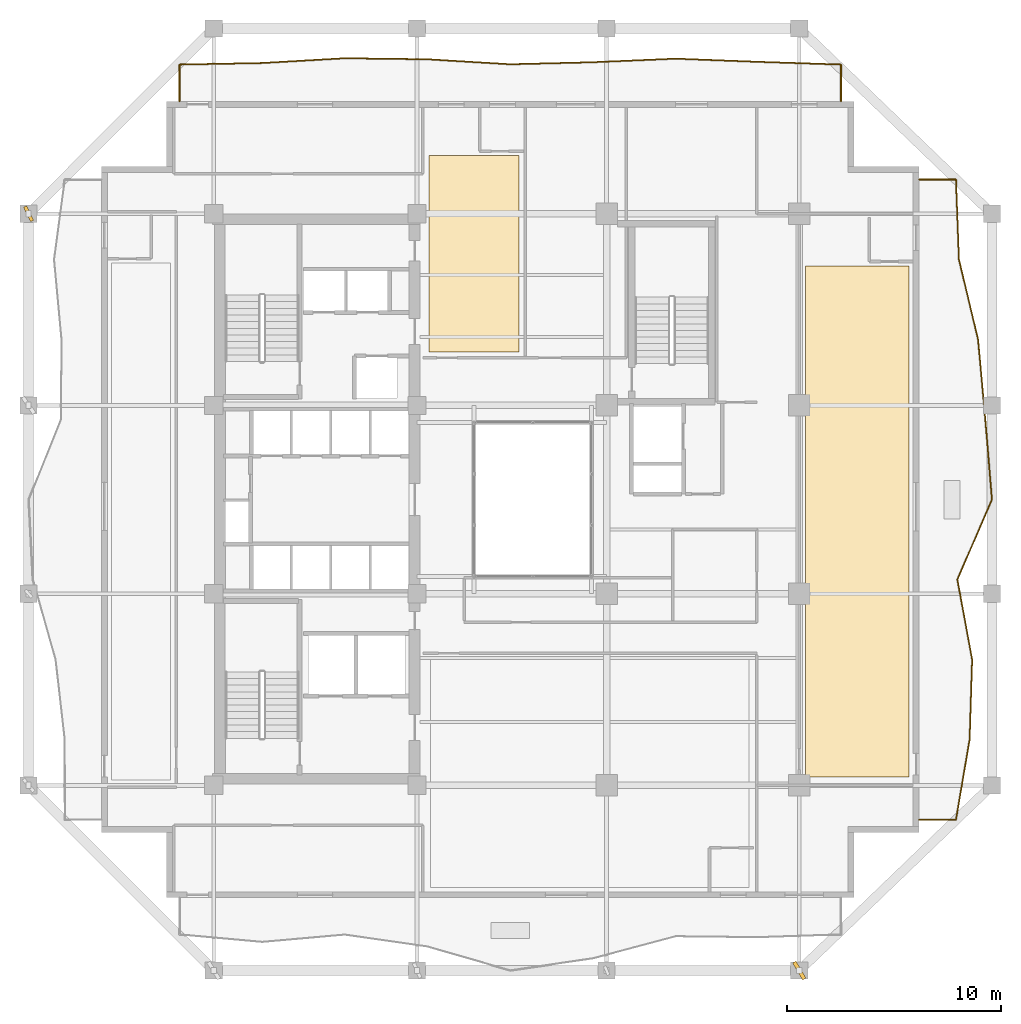
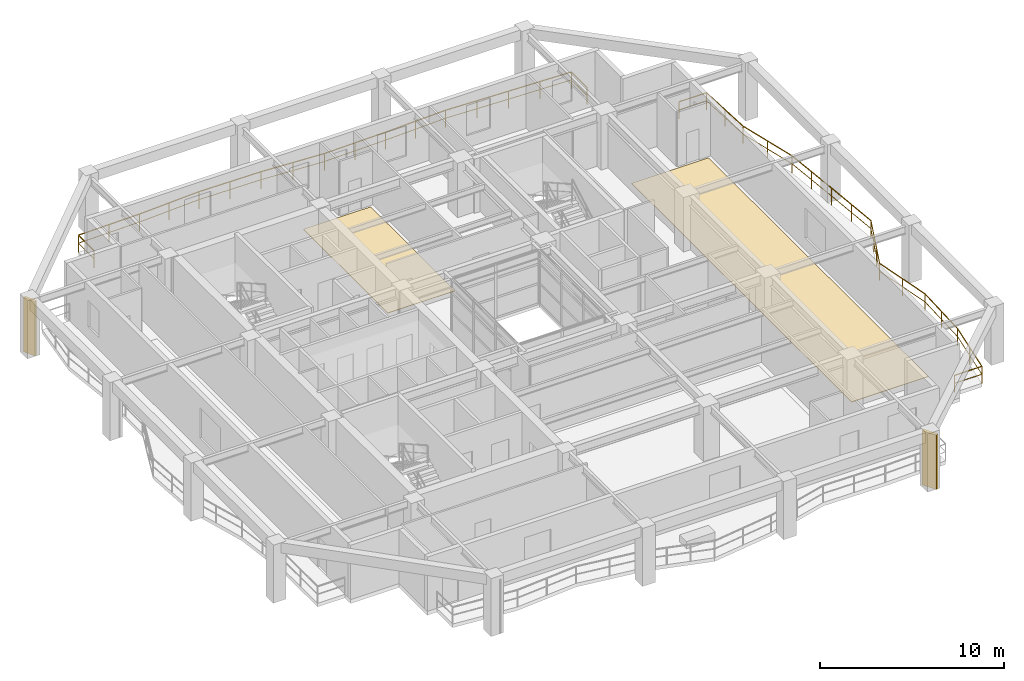
# One storey, part 13 of 14: 2 coverings, 2 railings, 2 shading devices.
"""IFC4 building model written with IfcOpenShell, lengths in metres."""

from ifc_helpers import new_model, si_unit, direction, frame, origin, origin_2d, place, context, subcontext, project, spatial, polyline, rectangle, outline, extrude, material, layer, layer_set, type_object, element, save


model = new_model("IFC4")

# Units and contexts
model_context = context("Model", 3, precision=1e-05, world=origin(), true_north=direction((0.0, 1.0)))
body_context = subcontext(model_context, "Body", "Model", "MODEL_VIEW")
ifc_project = project(units=[si_unit("LENGTHUNIT", "METRE"), si_unit("AREAUNIT", "SQUARE_METRE"), si_unit("VOLUMEUNIT", "CUBIC_METRE"), si_unit("PLANEANGLEUNIT", "RADIAN"), si_unit("MASSUNIT", "GRAM", prefix="KILO")], contexts=[model_context])

# Site, building, storey
site_placement = place(None, origin())
site = spatial("IfcSite", under=ifc_project, at=site_placement, CompositionType="ELEMENT")
building_placement = place(site_placement, origin())
building = spatial("IfcBuilding", under=site, at=building_placement, Name="Kundavana Baori Tower", CompositionType="ELEMENT")
storey_placement = place(building_placement, frame((0.0, 0.0, 104.0)))
storey = spatial("IfcBuildingStorey", under=building, at=storey_placement, Name="L24", CompositionType="ELEMENT", Elevation=104.0)

# Coverings
ifc_material_1 = material(Name="Honed Kota Stone and Terrazzo Flooring", Category="masonry")
ifc_layer = layer(ifc_material_1, 0.030029296875, Name="COV-INT-FLR")
ifc_layer_set = layer_set([ifc_layer], Name="Honed Kota Stone and Terrazzo Flooring")
covering_type = type_object("IfcCoveringType", Name="COV-INT-FLR", PredefinedType="FLOORING", material=ifc_layer_set)
covering_1_placement = place(storey_placement, origin())
element("IfcCovering", 1, at=covering_1_placement, inside=storey, type_object=covering_type, Name="L24 Room Finished Stone Flooring 3", PredefinedType="FLOORING", context=body_context, shape_type="SweptSolid", body=[
    extrude(outline(polyline([(43.10009765625, 15.6298828125), (47.919921875, 15.6298828125), (47.919921875, 39.52001953125), (43.10009765625, 39.52001953125), (43.10009765625, 15.6298828125)])), origin(), (0.0, 0.0, 1.0), 0.030029296875),
])
covering_2_placement = place(storey_placement, origin())
element("IfcCovering", 2, at=covering_2_placement, inside=storey, type_object=covering_type, Name="L24 Room Finished Stone Flooring 4", PredefinedType="FLOORING", context=body_context, shape_type="SweptSolid", body=[
    extrude(outline(polyline([(25.5, 35.5), (29.719970703125, 35.5), (29.719970703125, 44.669921875), (25.5, 44.669921875), (25.5, 35.5)])), origin(), (0.0, 0.0, 1.0), 0.030029296875),
])

# Railings
ifc_material_2 = material(Name="Architectural Patinated Bronze Metalwork")
railing_type = type_object("IfcRailingType", Name="RL-BAL-1150", PredefinedType="BALUSTRADE", material=ifc_material_2)
railing_1_placement = place(storey_placement, frame((48.39990234375, 43.550048828125, 0.0)))
element("IfcRailing", 3, at=railing_1_placement, inside=storey, type_object=railing_type, Name="L24 Loggia Balcony Balustrade E", PredefinedType="BALUSTRADE", context=body_context, shape_type="SweptSolid", body=[
    extrude(rectangle(XDim=0.048095703125, YDim=0.048095703125, at=origin_2d()), frame((0.0, 0.0, 1.1259765625), z_axis=(1.0, 0.0, 0.0), x_axis=(0.0, 1.0, 0.0)), (0.0, 0.0, 1.0), 1.72021484375),
    extrude(rectangle(XDim=0.03125, YDim=0.03125, at=origin_2d()), frame((0.0, 0.0, 0.597900390625), z_axis=(1.0, 0.0, 0.0), x_axis=(0.0, 1.0, 0.0)), (0.0, 0.0, 1.0), 1.72021484375),
    extrude(rectangle(XDim=0.048095703125, YDim=0.048095703125, at=origin_2d()), frame((1.72021484375, 0.0, 1.1259765625), z_axis=(0.037397894336, -0.999300454067, 0.0), x_axis=(0.999300454067, 0.037397894336, 0.0)), (0.0, 0.0, 1.0), 3.74072265625),
    extrude(rectangle(XDim=0.03125, YDim=0.03125, at=origin_2d()), frame((1.72021484375, 0.0, 0.597900390625), z_axis=(0.037397894336, -0.999300454067, 0.0), x_axis=(0.999300454067, 0.037397894336, 0.0)), (0.0, 0.0, 1.0), 3.74072265625),
    extrude(rectangle(XDim=0.048095703125, YDim=0.048095703125, at=origin_2d()), frame((1.860107421875, -3.738037109375, 1.1259765625), z_axis=(0.232671201059, -0.972555454562, 0.0), x_axis=(0.972555454562, 0.232671201059, 0.0)), (0.0, 0.0, 1.0), 3.842529296875),
    extrude(rectangle(XDim=0.03125, YDim=0.03125, at=origin_2d()), frame((1.860107421875, -3.738037109375, 0.597900390625), z_axis=(0.232671201059, -0.972555454562, 0.0), x_axis=(0.972555454562, 0.232671201059, 0.0)), (0.0, 0.0, 1.0), 3.842529296875),
    extrude(rectangle(XDim=0.048095703125, YDim=0.048095703125, at=origin_2d()), frame((2.754150390625, -7.47509765625, 1.1259765625), z_axis=(0.090025485948, -0.995939461955, 0.0), x_axis=(0.995939461955, 0.090025485948, 0.0)), (0.0, 0.0, 1.0), 3.753173828125),
    extrude(rectangle(XDim=0.03125, YDim=0.03125, at=origin_2d()), frame((2.754150390625, -7.47509765625, 0.597900390625), z_axis=(0.090025485948, -0.995939461955, 0.0), x_axis=(0.995939461955, 0.090025485948, 0.0)), (0.0, 0.0, 1.0), 3.753173828125),
    extrude(rectangle(XDim=0.048095703125, YDim=0.048095703125, at=origin_2d()), frame((3.092041015625, -11.213134765625, 1.1259765625), z_axis=(0.082172486011, -0.996618122724, 0.0), x_axis=(0.996618122724, 0.082172486011, 0.0)), (0.0, 0.0, 1.0), 3.74951171875),
    extrude(rectangle(XDim=0.03125, YDim=0.03125, at=origin_2d()), frame((3.092041015625, -11.213134765625, 0.597900390625), z_axis=(0.082172486011, -0.996618122724, 0.0), x_axis=(0.996618122724, 0.082172486011, 0.0)), (0.0, 0.0, 1.0), 3.74951171875),
    extrude(rectangle(XDim=0.048095703125, YDim=0.048095703125, at=origin_2d()), frame((3.400146484375, -14.949951171875, 1.1259765625), z_axis=(-0.396407301281, -0.918074752671, 0.0), x_axis=(0.918074752671, -0.396407301281, 0.0)), (0.0, 0.0, 1.0), 4.071533203125),
    extrude(rectangle(XDim=0.03125, YDim=0.03125, at=origin_2d()), frame((3.400146484375, -14.949951171875, 0.597900390625), z_axis=(-0.396407301281, -0.918074752671, 0.0), x_axis=(0.918074752671, -0.396407301281, 0.0)), (0.0, 0.0, 1.0), 4.071533203125),
    extrude(rectangle(XDim=0.048095703125, YDim=0.048095703125, at=origin_2d()), frame((1.7861328125, -18.68798828125, 1.1259765625), z_axis=(0.18180170202, -0.983335213009, 0.0), x_axis=(0.983335213009, 0.18180170202, 0.0)), (0.0, 0.0, 1.0), 3.80029296875),
    extrude(rectangle(XDim=0.03125, YDim=0.03125, at=origin_2d()), frame((1.7861328125, -18.68798828125, 0.597900390625), z_axis=(0.18180170202, -0.983335213009, 0.0), x_axis=(0.983335213009, 0.18180170202, 0.0)), (0.0, 0.0, 1.0), 3.80029296875),
    extrude(rectangle(XDim=0.048095703125, YDim=0.048095703125, at=origin_2d()), frame((2.47705078125, -22.425048828125, 1.1259765625), z_axis=(-0.031269398834, -0.999510992784, 0.0), x_axis=(0.999510992784, -0.031269398834, 0.0)), (0.0, 0.0, 1.0), 3.73974609375),
    extrude(rectangle(XDim=0.03125, YDim=0.03125, at=origin_2d()), frame((2.47705078125, -22.425048828125, 0.597900390625), z_axis=(-0.031269398834, -0.999510992784, 0.0), x_axis=(0.999510992784, -0.031269398834, 0.0)), (0.0, 0.0, 1.0), 3.73974609375),
    extrude(rectangle(XDim=0.048095703125, YDim=0.048095703125, at=origin_2d()), frame((2.360107421875, -26.1630859375, 1.1259765625), z_axis=(-0.168772575076, -0.985655019721, 0.0), x_axis=(0.985655019721, -0.168772575076, 0.0)), (0.0, 0.0, 1.0), 3.79150390625),
    extrude(rectangle(XDim=0.03125, YDim=0.03125, at=origin_2d()), frame((2.360107421875, -26.1630859375, 0.597900390625), z_axis=(-0.168772575076, -0.985655019721, 0.0), x_axis=(0.985655019721, -0.168772575076, 0.0)), (0.0, 0.0, 1.0), 3.79150390625),
    extrude(rectangle(XDim=0.048095703125, YDim=0.048095703125, at=origin_2d()), frame((1.72021484375, -29.900146484375, 1.1259765625), z_axis=(-1.0, 0.0, 0.0), x_axis=(0.0, -1.0, 0.0)), (0.0, 0.0, 1.0), 1.72021484375),
    extrude(rectangle(XDim=0.03125, YDim=0.03125, at=origin_2d()), frame((1.72021484375, -29.900146484375, 0.597900390625), z_axis=(-1.0, 0.0, 0.0), x_axis=(0.0, -1.0, 0.0)), (0.0, 0.0, 1.0), 1.72021484375),
    extrude(rectangle(XDim=0.0419921875, YDim=0.0419921875, at=origin_2d()), origin(), (0.0, 0.0, 1.0), 1.101806640625),
    extrude(rectangle(XDim=0.0419921875, YDim=0.0419921875, at=origin_2d()), frame((1.72021484375, 0.0, 0.0)), (0.0, 0.0, 1.0), 1.101806640625),
    extrude(rectangle(XDim=0.0419921875, YDim=0.0419921875, at=origin_2d()), frame((1.7900390625, -1.869140625, 0.0)), (0.0, 0.0, 1.0), 1.101806640625),
    extrude(rectangle(XDim=0.0419921875, YDim=0.0419921875, at=origin_2d()), frame((1.860107421875, -3.738037109375, 0.0)), (0.0, 0.0, 1.0), 1.101806640625),
    extrude(rectangle(XDim=0.0419921875, YDim=0.0419921875, at=origin_2d()), frame((2.30712890625, -5.6064453125, 0.0)), (0.0, 0.0, 1.0), 1.101806640625),
    extrude(rectangle(XDim=0.0419921875, YDim=0.0419921875, at=origin_2d()), frame((2.754150390625, -7.47509765625, 0.0)), (0.0, 0.0, 1.0), 1.101806640625),
    extrude(rectangle(XDim=0.0419921875, YDim=0.0419921875, at=origin_2d()), frame((2.923095703125, -9.34423828125, 0.0)), (0.0, 0.0, 1.0), 1.101806640625),
    extrude(rectangle(XDim=0.0419921875, YDim=0.0419921875, at=origin_2d()), frame((3.092041015625, -11.213134765625, 0.0)), (0.0, 0.0, 1.0), 1.101806640625),
    extrude(rectangle(XDim=0.0419921875, YDim=0.0419921875, at=origin_2d()), frame((3.24609375, -13.08154296875, 0.0)), (0.0, 0.0, 1.0), 1.101806640625),
    extrude(rectangle(XDim=0.0419921875, YDim=0.0419921875, at=origin_2d()), frame((3.400146484375, -14.949951171875, 0.0)), (0.0, 0.0, 1.0), 1.101806640625),
    extrude(rectangle(XDim=0.0419921875, YDim=0.0419921875, at=origin_2d()), frame((2.862060546875, -16.196044921875, 0.0)), (0.0, 0.0, 1.0), 1.101806640625),
    extrude(rectangle(XDim=0.0419921875, YDim=0.0419921875, at=origin_2d()), frame((2.32421875, -17.44189453125, 0.0)), (0.0, 0.0, 1.0), 1.101806640625),
    extrude(rectangle(XDim=0.0419921875, YDim=0.0419921875, at=origin_2d()), frame((1.7861328125, -18.68798828125, 0.0)), (0.0, 0.0, 1.0), 1.101806640625),
    extrude(rectangle(XDim=0.0419921875, YDim=0.0419921875, at=origin_2d()), frame((2.131591796875, -20.556640625, 0.0)), (0.0, 0.0, 1.0), 1.101806640625),
    extrude(rectangle(XDim=0.0419921875, YDim=0.0419921875, at=origin_2d()), frame((2.47705078125, -22.425048828125, 0.0)), (0.0, 0.0, 1.0), 1.101806640625),
    extrude(rectangle(XDim=0.0419921875, YDim=0.0419921875, at=origin_2d()), frame((2.41845703125, -24.2939453125, 0.0)), (0.0, 0.0, 1.0), 1.101806640625),
    extrude(rectangle(XDim=0.0419921875, YDim=0.0419921875, at=origin_2d()), frame((2.360107421875, -26.1630859375, 0.0)), (0.0, 0.0, 1.0), 1.101806640625),
    extrude(rectangle(XDim=0.0419921875, YDim=0.0419921875, at=origin_2d()), frame((2.0400390625, -28.03173828125, 0.0)), (0.0, 0.0, 1.0), 1.101806640625),
    extrude(rectangle(XDim=0.0419921875, YDim=0.0419921875, at=origin_2d()), frame((1.72021484375, -29.900146484375, 0.0)), (0.0, 0.0, 1.0), 1.101806640625),
    extrude(rectangle(XDim=0.0419921875, YDim=0.0419921875, at=origin_2d()), frame((0.0, -29.900146484375, 0.0)), (0.0, 0.0, 1.0), 1.101806640625),
])
railing_2_placement = place(storey_placement, frame((13.85009765625, 47.199951171875, 0.0)))
element("IfcRailing", 4, at=railing_2_placement, inside=storey, type_object=railing_type, Name="L24 Loggia Balcony Balustrade N", PredefinedType="BALUSTRADE", context=body_context, shape_type="SweptSolid", body=[
    extrude(rectangle(XDim=0.048095703125, YDim=0.048095703125, at=origin_2d()), frame((0.0, 0.0, 1.1259765625), z_axis=(0.0, 1.0, 0.0), x_axis=(-1.0, 0.0, 0.0)), (0.0, 0.0, 1.0), 1.719970703125),
    extrude(rectangle(XDim=0.03125, YDim=0.03125, at=origin_2d()), frame((0.0, 0.0, 0.597900390625), z_axis=(0.0, 1.0, 0.0), x_axis=(-1.0, 0.0, 0.0)), (0.0, 0.0, 1.0), 1.719970703125),
    extrude(rectangle(XDim=0.048095703125, YDim=0.048095703125, at=origin_2d()), frame((0.0, 1.719970703125, 1.1259765625), z_axis=(0.999821395303, 0.018899140043, 0.0), x_axis=(-0.018899140043, 0.999821395303, 0.0)), (0.0, 0.0, 1.0), 3.862548828125),
    extrude(rectangle(XDim=0.03125, YDim=0.03125, at=origin_2d()), frame((0.0, 1.719970703125, 0.597900390625), z_axis=(0.999821395303, 0.018899140043, 0.0), x_axis=(-0.018899140043, 0.999821395303, 0.0)), (0.0, 0.0, 1.0), 3.862548828125),
    extrude(rectangle(XDim=0.048095703125, YDim=0.048095703125, at=origin_2d()), frame((3.86181640625, 1.79296875, 1.1259765625), z_axis=(0.998350321069, 0.057416342803, 0.0), x_axis=(-0.057416342803, 0.998350321069, 0.0)), (0.0, 0.0, 1.0), 3.869384765625),
    extrude(rectangle(XDim=0.03125, YDim=0.03125, at=origin_2d()), frame((3.86181640625, 1.79296875, 0.597900390625), z_axis=(0.998350321069, 0.057416342803, 0.0), x_axis=(-0.057416342803, 0.998350321069, 0.0)), (0.0, 0.0, 1.0), 3.869384765625),
    extrude(rectangle(XDim=0.048095703125, YDim=0.048095703125, at=origin_2d()), frame((7.724853515625, 2.01513671875, 1.1259765625), z_axis=(0.999919326313, -0.012702002439, 0.0), x_axis=(0.012702002439, 0.999919326313, 0.0)), (0.0, 0.0, 1.0), 3.86328125),
    extrude(rectangle(XDim=0.03125, YDim=0.03125, at=origin_2d()), frame((7.724853515625, 2.01513671875, 0.597900390625), z_axis=(0.999919326313, -0.012702002439, 0.0), x_axis=(0.012702002439, 0.999919326313, 0.0)), (0.0, 0.0, 1.0), 3.86328125),
    extrude(rectangle(XDim=0.048095703125, YDim=0.048095703125, at=origin_2d()), frame((11.587890625, 1.966064453125, 1.1259765625), z_axis=(0.998201599647, -0.059946363213, 0.0), x_axis=(0.059946363213, 0.998201599647, 0.0)), (0.0, 0.0, 1.0), 3.869140625),
    extrude(rectangle(XDim=0.03125, YDim=0.03125, at=origin_2d()), frame((11.587890625, 1.966064453125, 0.597900390625), z_axis=(0.998201599647, -0.059946363213, 0.0), x_axis=(0.059946363213, 0.998201599647, 0.0)), (0.0, 0.0, 1.0), 3.869140625),
    extrude(rectangle(XDim=0.048095703125, YDim=0.048095703125, at=origin_2d()), frame((15.449951171875, 1.734130859375, 1.1259765625), z_axis=(0.999697938941, 0.024577039642, 0.0), x_axis=(-0.024577039642, 0.999697938941, 0.0)), (0.0, 0.0, 1.0), 3.8642578125),
    extrude(rectangle(XDim=0.03125, YDim=0.03125, at=origin_2d()), frame((15.449951171875, 1.734130859375, 0.597900390625), z_axis=(0.999697938941, 0.024577039642, 0.0), x_axis=(-0.024577039642, 0.999697938941, 0.0)), (0.0, 0.0, 1.0), 3.8642578125),
    extrude(rectangle(XDim=0.048095703125, YDim=0.048095703125, at=origin_2d()), frame((19.31298828125, 1.8291015625, 1.1259765625), z_axis=(0.999077251715, 0.042949331848, 0.0), x_axis=(-0.042949331848, 0.999077251715, 0.0)), (0.0, 0.0, 1.0), 3.865478515625),
    extrude(rectangle(XDim=0.03125, YDim=0.03125, at=origin_2d()), frame((19.31298828125, 1.8291015625, 0.597900390625), z_axis=(0.999077251715, 0.042949331848, 0.0), x_axis=(-0.042949331848, 0.999077251715, 0.0)), (0.0, 0.0, 1.0), 3.865478515625),
    extrude(rectangle(XDim=0.048095703125, YDim=0.048095703125, at=origin_2d()), frame((23.1748046875, 1.9951171875, 1.1259765625), z_axis=(0.999276674907, -0.038027976376, 0.0), x_axis=(0.038027976376, 0.999276674907, 0.0)), (0.0, 0.0, 1.0), 3.86474609375),
    extrude(rectangle(XDim=0.03125, YDim=0.03125, at=origin_2d()), frame((23.1748046875, 1.9951171875, 0.597900390625), z_axis=(0.999276674907, -0.038027976376, 0.0), x_axis=(0.038027976376, 0.999276674907, 0.0)), (0.0, 0.0, 1.0), 3.86474609375),
    extrude(rectangle(XDim=0.048095703125, YDim=0.048095703125, at=origin_2d()), frame((27.036865234375, 1.84814453125, 1.1259765625), z_axis=(0.999450012834, -0.033161300432, 0.0), x_axis=(0.033161300432, 0.999450012834, 0.0)), (0.0, 0.0, 1.0), 3.865234375),
    extrude(rectangle(XDim=0.03125, YDim=0.03125, at=origin_2d()), frame((27.036865234375, 1.84814453125, 0.597900390625), z_axis=(0.999450012834, -0.033161300432, 0.0), x_axis=(0.033161300432, 0.999450012834, 0.0)), (0.0, 0.0, 1.0), 3.865234375),
    extrude(rectangle(XDim=0.048095703125, YDim=0.048095703125, at=origin_2d()), frame((30.89990234375, 1.719970703125, 1.1259765625), z_axis=(0.0, -1.0, 0.0), x_axis=(1.0, 0.0, 0.0)), (0.0, 0.0, 1.0), 1.719970703125),
    extrude(rectangle(XDim=0.03125, YDim=0.03125, at=origin_2d()), frame((30.89990234375, 1.719970703125, 0.597900390625), z_axis=(0.0, -1.0, 0.0), x_axis=(1.0, 0.0, 0.0)), (0.0, 0.0, 1.0), 1.719970703125),
    extrude(rectangle(XDim=0.0419921875, YDim=0.0419921875, at=origin_2d()), origin(), (0.0, 0.0, 1.0), 1.101806640625),
    extrude(rectangle(XDim=0.0419921875, YDim=0.0419921875, at=origin_2d()), frame((0.0, 1.719970703125, 0.0)), (0.0, 0.0, 1.0), 1.101806640625),
    extrude(rectangle(XDim=0.0419921875, YDim=0.0419921875, at=origin_2d()), frame((1.930908203125, 1.75634765625, 0.0)), (0.0, 0.0, 1.0), 1.101806640625),
    extrude(rectangle(XDim=0.0419921875, YDim=0.0419921875, at=origin_2d()), frame((3.86181640625, 1.79296875, 0.0)), (0.0, 0.0, 1.0), 1.101806640625),
    extrude(rectangle(XDim=0.0419921875, YDim=0.0419921875, at=origin_2d()), frame((5.79345703125, 1.904052734375, 0.0)), (0.0, 0.0, 1.0), 1.101806640625),
    extrude(rectangle(XDim=0.0419921875, YDim=0.0419921875, at=origin_2d()), frame((7.724853515625, 2.01513671875, 0.0)), (0.0, 0.0, 1.0), 1.101806640625),
    extrude(rectangle(XDim=0.0419921875, YDim=0.0419921875, at=origin_2d()), frame((9.65625, 1.99072265625, 0.0)), (0.0, 0.0, 1.0), 1.101806640625),
    extrude(rectangle(XDim=0.0419921875, YDim=0.0419921875, at=origin_2d()), frame((11.587890625, 1.966064453125, 0.0)), (0.0, 0.0, 1.0), 1.101806640625),
    extrude(rectangle(XDim=0.0419921875, YDim=0.0419921875, at=origin_2d()), frame((13.51904296875, 1.85009765625, 0.0)), (0.0, 0.0, 1.0), 1.101806640625),
    extrude(rectangle(XDim=0.0419921875, YDim=0.0419921875, at=origin_2d()), frame((15.449951171875, 1.734130859375, 0.0)), (0.0, 0.0, 1.0), 1.101806640625),
    extrude(rectangle(XDim=0.0419921875, YDim=0.0419921875, at=origin_2d()), frame((17.38134765625, 1.78173828125, 0.0)), (0.0, 0.0, 1.0), 1.101806640625),
    extrude(rectangle(XDim=0.0419921875, YDim=0.0419921875, at=origin_2d()), frame((19.31298828125, 1.8291015625, 0.0)), (0.0, 0.0, 1.0), 1.101806640625),
    extrude(rectangle(XDim=0.0419921875, YDim=0.0419921875, at=origin_2d()), frame((21.243896484375, 1.912109375, 0.0)), (0.0, 0.0, 1.0), 1.101806640625),
    extrude(rectangle(XDim=0.0419921875, YDim=0.0419921875, at=origin_2d()), frame((23.1748046875, 1.9951171875, 0.0)), (0.0, 0.0, 1.0), 1.101806640625),
    extrude(rectangle(XDim=0.0419921875, YDim=0.0419921875, at=origin_2d()), frame((25.10595703125, 1.921630859375, 0.0)), (0.0, 0.0, 1.0), 1.101806640625),
    extrude(rectangle(XDim=0.0419921875, YDim=0.0419921875, at=origin_2d()), frame((27.036865234375, 1.84814453125, 0.0)), (0.0, 0.0, 1.0), 1.101806640625),
    extrude(rectangle(XDim=0.0419921875, YDim=0.0419921875, at=origin_2d()), frame((28.96826171875, 1.7841796875, 0.0)), (0.0, 0.0, 1.0), 1.101806640625),
    extrude(rectangle(XDim=0.0419921875, YDim=0.0419921875, at=origin_2d()), frame((30.89990234375, 1.719970703125, 0.0)), (0.0, 0.0, 1.0), 1.101806640625),
    extrude(rectangle(XDim=0.0419921875, YDim=0.0419921875, at=origin_2d()), frame((30.89990234375, 0.0, 0.0)), (0.0, 0.0, 1.0), 1.101806640625),
])

# Shading devices
ifc_material_3 = material(Name="Red-Buff Dholpur Sandstone Cladding on Concrete C40/50", Category="masonry")
shading_device_type_1 = type_object("IfcShadingDeviceType", Name="SHD-FIN-750", PredefinedType="JALOUSIE", material=ifc_material_3)
shading_device_1_placement = place(storey_placement, frame((6.800048828125, 41.949951171875, 0.0), z_axis=(0.0, 0.0, 1.0), x_axis=(0.901681645086, 0.432400521409, 0.0)))
element("IfcShadingDevice", 5, at=shading_device_1_placement, inside=storey, type_object=shading_device_type_1, Name="L24 Sweeping Dholpur Sandstone Facade Fin 8", PredefinedType="JALOUSIE", context=body_context, shape_type="SweptSolid", body=[
    extrude(rectangle(XDim=0.159912109375, YDim=0.75, at=origin_2d()), origin(), (0.0, 0.0, 1.0), 3.60009765625),
])
ifc_material_4 = material(Name="Red-Buff Dholpur Sandstone Cladding on Concrete C40/50", Category="masonry")
shading_device_type_2 = type_object("IfcShadingDeviceType", Name="SHD-FIN-920", PredefinedType="JALOUSIE", material=ifc_material_4)
shading_device_2_placement = place(storey_placement, frame((42.800048828125, 6.60009765625, 0.0), z_axis=(0.0, 0.0, 1.0), x_axis=(0.863043113503, 0.50513026462, 0.0)))
element("IfcShadingDevice", 6, at=shading_device_2_placement, inside=storey, type_object=shading_device_type_2, Name="L24 Sweeping Dholpur Sandstone Facade Fin 4", PredefinedType="JALOUSIE", context=body_context, shape_type="SweptSolid", body=[
    extrude(rectangle(XDim=0.179931640625, YDim=0.919921875, at=origin_2d()), origin(), (0.0, 0.0, 1.0), 3.60009765625),
])

save(model, "model.ifc")
